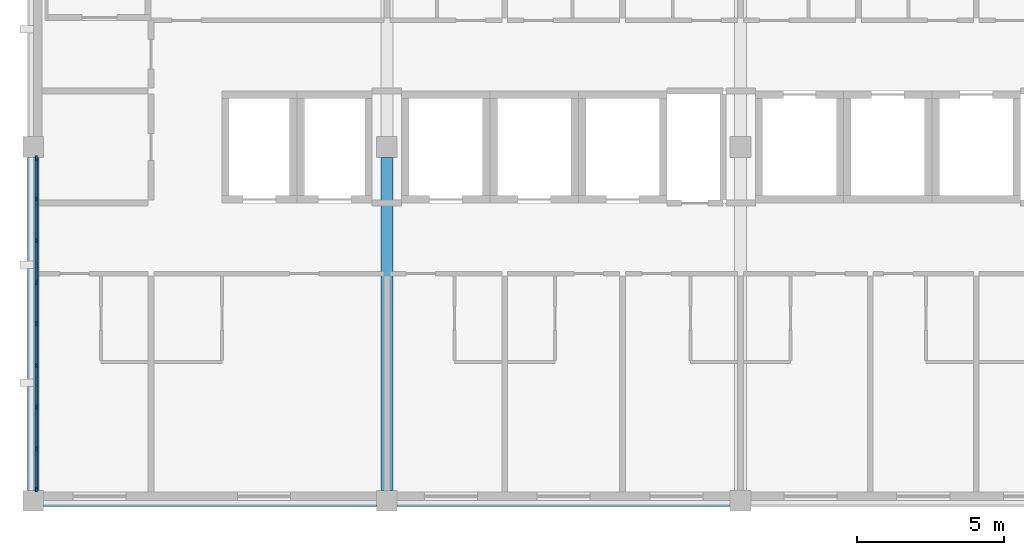
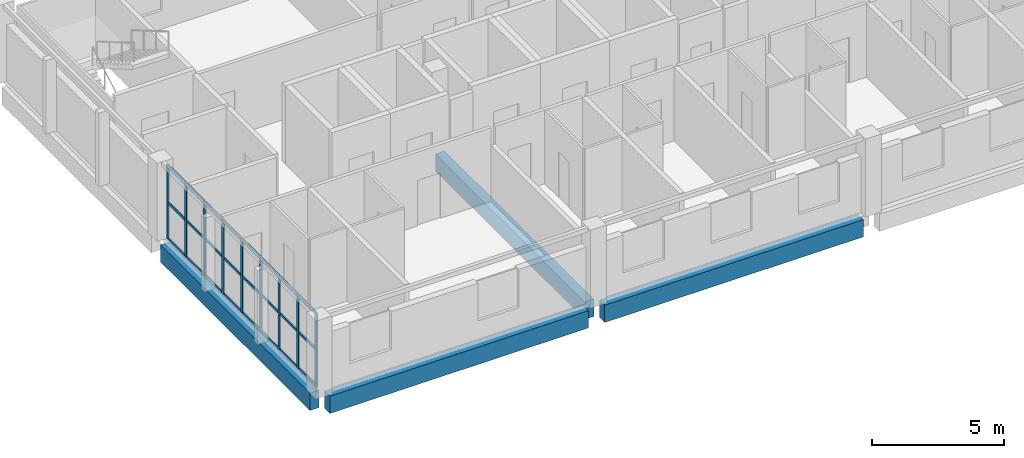
# One storey, part 2 of 11: 33 members, 4 beams, 1 element without a shape of its own.
"""IFC4 building model written with IfcOpenShell, lengths in metres."""

from ifc_helpers import new_model, si_unit, direction, frame, origin, origin_2d, place, context, subcontext, project, spatial, rectangle, extrude, material, layer, layer_set, material_profile, profile_set, type_object, element, aggregate, save


model = new_model("IFC4")

# Units and contexts
model_context = context("Model", 3, precision=1e-05, world=origin(), true_north=direction((0.0, 1.0)))
body_context = subcontext(model_context, "Body", "Model", "MODEL_VIEW")
ifc_project = project(units=[si_unit("LENGTHUNIT", "METRE"), si_unit("AREAUNIT", "SQUARE_METRE"), si_unit("VOLUMEUNIT", "CUBIC_METRE"), si_unit("PLANEANGLEUNIT", "RADIAN"), si_unit("MASSUNIT", "GRAM", prefix="KILO")], contexts=[model_context])

# Site, building, storey
site_placement = place(None, origin())
site = spatial("IfcSite", under=ifc_project, at=site_placement, CompositionType="ELEMENT")
building_placement = place(site_placement, origin())
building = spatial("IfcBuilding", under=site, at=building_placement, Name="Lilac Gate Convention Centre", CompositionType="ELEMENT")
storey_placement = place(building_placement, frame((0.0, 0.0, 57.0)))
storey = spatial("IfcBuildingStorey", under=building, at=storey_placement, Name="L14", CompositionType="ELEMENT", Elevation=57.0)

# Curtain wall, members
ifc_material_1 = material(Name="Aluminium framed double glazing", Category="aluminium")
ifc_layer = layer(ifc_material_1, 0.199951171875)
ifc_layer_set = layer_set([ifc_layer], Name="Aluminium framed double glazing")
curtain_wall_type = type_object("IfcCurtainWallType", Name="Unitised curtain wall 1500", PredefinedType="NOTDEFINED", material=ifc_layer_set)
curtain_wall_placement = place(storey_placement, origin())
curtain_wall = element("IfcCurtainWall", 1, at=curtain_wall_placement, inside=storey, type_object=curtain_wall_type, Name="Curtain wall W L14 2", PredefinedType="NOTDEFINED")
ifc_material_2 = material(Name="Aluminium alloy 6063", Category="aluminium")
ifc_material_profile_1 = material_profile(ifc_material_2, rectangle(XDim=0.06005859375, YDim=0.159912109375, at=origin_2d()), Name="Curtain wall mullion 60 x 160")
ifc_profile_set_1 = profile_set([ifc_material_profile_1], Name="Aluminium alloy 6063")
member_type_1 = type_object("IfcMemberType", Name="Curtain wall mullion 60 x 160", PredefinedType="MULLION", material=ifc_profile_set_1)
member_1_placement = place(storey_placement, frame((42.10009765625, 233.619873046875, 0.0), z_axis=(0.0, 0.0, 1.0), x_axis=(1.0, 0.0, 0.0)))
member_1 = element("IfcMember", 2, at=member_1_placement, type_object=member_type_1, Name="CW mullion 1", PredefinedType="MULLION", context=body_context, shape_type="SweptSolid", body=[
    extrude(rectangle(XDim=0.06005859375, YDim=0.159912109375, at=origin_2d()), origin(), (0.0, 0.0, 1.0), 3.39990234375),
])
member_2_placement = place(storey_placement, frame((42.10009765625, 232.237548828125, 0.0), z_axis=(0.0, 0.0, 1.0), x_axis=(1.0, 0.0, 0.0)))
member_2 = element("IfcMember", 3, at=member_2_placement, type_object=member_type_1, Name="CW mullion 2", PredefinedType="MULLION", context=body_context, shape_type="SweptSolid", body=[
    extrude(rectangle(XDim=0.06005859375, YDim=0.159912109375, at=origin_2d()), origin(), (0.0, 0.0, 1.0), 3.39990234375),
])
member_3_placement = place(storey_placement, frame((42.10009765625, 230.824951171875, 0.0), z_axis=(0.0, 0.0, 1.0), x_axis=(1.0, 0.0, 0.0)))
member_3 = element("IfcMember", 4, at=member_3_placement, type_object=member_type_1, Name="CW mullion 3", PredefinedType="MULLION", context=body_context, shape_type="SweptSolid", body=[
    extrude(rectangle(XDim=0.06005859375, YDim=0.159912109375, at=origin_2d()), origin(), (0.0, 0.0, 1.0), 3.39990234375),
])
member_4_placement = place(storey_placement, frame((42.10009765625, 229.41259765625, 0.0), z_axis=(0.0, 0.0, 1.0), x_axis=(1.0, 0.0, 0.0)))
member_4 = element("IfcMember", 5, at=member_4_placement, type_object=member_type_1, Name="CW mullion 4", PredefinedType="MULLION", context=body_context, shape_type="SweptSolid", body=[
    extrude(rectangle(XDim=0.06005859375, YDim=0.159912109375, at=origin_2d()), origin(), (0.0, 0.0, 1.0), 3.39990234375),
])
member_5_placement = place(storey_placement, frame((42.10009765625, 228.0, 0.0), z_axis=(0.0, 0.0, 1.0), x_axis=(1.0, 0.0, 0.0)))
member_5 = element("IfcMember", 6, at=member_5_placement, type_object=member_type_1, Name="CW mullion 5", PredefinedType="MULLION", context=body_context, shape_type="SweptSolid", body=[
    extrude(rectangle(XDim=0.06005859375, YDim=0.159912109375, at=origin_2d()), origin(), (0.0, 0.0, 1.0), 3.39990234375),
])
member_6_placement = place(storey_placement, frame((42.10009765625, 226.58740234375, 0.0), z_axis=(0.0, 0.0, 1.0), x_axis=(1.0, 0.0, 0.0)))
member_6 = element("IfcMember", 7, at=member_6_placement, type_object=member_type_1, Name="CW mullion 6", PredefinedType="MULLION", context=body_context, shape_type="SweptSolid", body=[
    extrude(rectangle(XDim=0.06005859375, YDim=0.159912109375, at=origin_2d()), origin(), (0.0, 0.0, 1.0), 3.39990234375),
])
member_7_placement = place(storey_placement, frame((42.10009765625, 225.175048828125, 0.0), z_axis=(0.0, 0.0, 1.0), x_axis=(1.0, 0.0, 0.0)))
member_7 = element("IfcMember", 8, at=member_7_placement, type_object=member_type_1, Name="CW mullion 7", PredefinedType="MULLION", context=body_context, shape_type="SweptSolid", body=[
    extrude(rectangle(XDim=0.06005859375, YDim=0.159912109375, at=origin_2d()), origin(), (0.0, 0.0, 1.0), 3.39990234375),
])
member_8_placement = place(storey_placement, frame((42.10009765625, 223.762451171875, 0.0), z_axis=(0.0, 0.0, 1.0), x_axis=(1.0, 0.0, 0.0)))
member_8 = element("IfcMember", 9, at=member_8_placement, type_object=member_type_1, Name="CW mullion 8", PredefinedType="MULLION", context=body_context, shape_type="SweptSolid", body=[
    extrude(rectangle(XDim=0.06005859375, YDim=0.159912109375, at=origin_2d()), origin(), (0.0, 0.0, 1.0), 3.39990234375),
])
member_9_placement = place(storey_placement, frame((42.10009765625, 222.380126953125, 0.0), z_axis=(0.0, 0.0, 1.0), x_axis=(1.0, 0.0, 0.0)))
member_9 = element("IfcMember", 10, at=member_9_placement, type_object=member_type_1, Name="CW mullion 9", PredefinedType="MULLION", context=body_context, shape_type="SweptSolid", body=[
    extrude(rectangle(XDim=0.06005859375, YDim=0.159912109375, at=origin_2d()), origin(), (0.0, 0.0, 1.0), 3.39990234375),
])
ifc_material_profile_2 = material_profile(ifc_material_2, rectangle(XDim=0.06005859375, YDim=0.1201171875, at=origin_2d()), Name="Curtain wall transom 60 x 120")
ifc_profile_set_2 = profile_set([ifc_material_profile_2], Name="Aluminium alloy 6063")
member_type_2 = type_object("IfcMemberType", Name="Curtain wall transom 60 x 120", PredefinedType="USERDEFINED", material=ifc_profile_set_2)
member_10_placement = place(storey_placement, frame((42.10009765625, 233.58984375, 0.030029296875), z_axis=(0.0, -1.0, 0.0), x_axis=(1.0, 0.0, 0.0)))
member_10 = element("IfcMember", 11, at=member_10_placement, type_object=member_type_2, Name="CW transom 1.1", ObjectType="TRANSOM", PredefinedType="USERDEFINED", context=body_context, shape_type="SweptSolid", body=[
    extrude(rectangle(XDim=0.06005859375, YDim=0.1201171875, at=origin_2d()), origin(), (0.0, 0.0, 1.0), 1.322509765625),
])
member_11_placement = place(storey_placement, frame((42.10009765625, 233.58984375, 1.699951171875), z_axis=(0.0, -1.0, 0.0), x_axis=(1.0, 0.0, 0.0)))
member_11 = element("IfcMember", 12, at=member_11_placement, type_object=member_type_2, Name="CW transom 1.2", ObjectType="TRANSOM", PredefinedType="USERDEFINED", context=body_context, shape_type="SweptSolid", body=[
    extrude(rectangle(XDim=0.06005859375, YDim=0.1201171875, at=origin_2d()), origin(), (0.0, 0.0, 1.0), 1.322509765625),
])
member_12_placement = place(storey_placement, frame((42.10009765625, 233.58984375, 3.369873046875), z_axis=(0.0, -1.0, 0.0), x_axis=(1.0, 0.0, 0.0)))
member_12 = element("IfcMember", 13, at=member_12_placement, type_object=member_type_2, Name="CW transom 1.3", ObjectType="TRANSOM", PredefinedType="USERDEFINED", context=body_context, shape_type="SweptSolid", body=[
    extrude(rectangle(XDim=0.06005859375, YDim=0.1201171875, at=origin_2d()), origin(), (0.0, 0.0, 1.0), 1.322509765625),
])
member_13_placement = place(storey_placement, frame((42.10009765625, 232.20751953125, 0.030029296875), z_axis=(0.0, -1.0, 0.0), x_axis=(1.0, 0.0, 0.0)))
member_13 = element("IfcMember", 14, at=member_13_placement, type_object=member_type_2, Name="CW transom 2.1", ObjectType="TRANSOM", PredefinedType="USERDEFINED", context=body_context, shape_type="SweptSolid", body=[
    extrude(rectangle(XDim=0.06005859375, YDim=0.1201171875, at=origin_2d()), origin(), (0.0, 0.0, 1.0), 1.3525390625),
])
member_14_placement = place(storey_placement, frame((42.10009765625, 232.20751953125, 1.699951171875), z_axis=(0.0, -1.0, 0.0), x_axis=(1.0, 0.0, 0.0)))
member_14 = element("IfcMember", 15, at=member_14_placement, type_object=member_type_2, Name="CW transom 2.2", ObjectType="TRANSOM", PredefinedType="USERDEFINED", context=body_context, shape_type="SweptSolid", body=[
    extrude(rectangle(XDim=0.06005859375, YDim=0.1201171875, at=origin_2d()), origin(), (0.0, 0.0, 1.0), 1.3525390625),
])
member_15_placement = place(storey_placement, frame((42.10009765625, 232.20751953125, 3.369873046875), z_axis=(0.0, -1.0, 0.0), x_axis=(1.0, 0.0, 0.0)))
member_15 = element("IfcMember", 16, at=member_15_placement, type_object=member_type_2, Name="CW transom 2.3", ObjectType="TRANSOM", PredefinedType="USERDEFINED", context=body_context, shape_type="SweptSolid", body=[
    extrude(rectangle(XDim=0.06005859375, YDim=0.1201171875, at=origin_2d()), origin(), (0.0, 0.0, 1.0), 1.3525390625),
])
member_16_placement = place(storey_placement, frame((42.10009765625, 230.794921875, 0.030029296875), z_axis=(0.0, -1.0, 0.0), x_axis=(1.0, 0.0, 0.0)))
member_16 = element("IfcMember", 17, at=member_16_placement, type_object=member_type_2, Name="CW transom 3.1", ObjectType="TRANSOM", PredefinedType="USERDEFINED", context=body_context, shape_type="SweptSolid", body=[
    extrude(rectangle(XDim=0.06005859375, YDim=0.1201171875, at=origin_2d()), origin(), (0.0, 0.0, 1.0), 1.3525390625),
])
member_17_placement = place(storey_placement, frame((42.10009765625, 230.794921875, 1.699951171875), z_axis=(0.0, -1.0, 0.0), x_axis=(1.0, 0.0, 0.0)))
member_17 = element("IfcMember", 18, at=member_17_placement, type_object=member_type_2, Name="CW transom 3.2", ObjectType="TRANSOM", PredefinedType="USERDEFINED", context=body_context, shape_type="SweptSolid", body=[
    extrude(rectangle(XDim=0.06005859375, YDim=0.1201171875, at=origin_2d()), origin(), (0.0, 0.0, 1.0), 1.3525390625),
])
member_18_placement = place(storey_placement, frame((42.10009765625, 230.794921875, 3.369873046875), z_axis=(0.0, -1.0, 0.0), x_axis=(1.0, 0.0, 0.0)))
member_18 = element("IfcMember", 19, at=member_18_placement, type_object=member_type_2, Name="CW transom 3.3", ObjectType="TRANSOM", PredefinedType="USERDEFINED", context=body_context, shape_type="SweptSolid", body=[
    extrude(rectangle(XDim=0.06005859375, YDim=0.1201171875, at=origin_2d()), origin(), (0.0, 0.0, 1.0), 1.3525390625),
])
member_19_placement = place(storey_placement, frame((42.10009765625, 229.382568359375, 0.030029296875), z_axis=(0.0, -1.0, 0.0), x_axis=(1.0, 0.0, 0.0)))
member_19 = element("IfcMember", 20, at=member_19_placement, type_object=member_type_2, Name="CW transom 4.1", ObjectType="TRANSOM", PredefinedType="USERDEFINED", context=body_context, shape_type="SweptSolid", body=[
    extrude(rectangle(XDim=0.06005859375, YDim=0.1201171875, at=origin_2d()), origin(), (0.0, 0.0, 1.0), 1.3525390625),
])
member_20_placement = place(storey_placement, frame((42.10009765625, 229.382568359375, 1.699951171875), z_axis=(0.0, -1.0, 0.0), x_axis=(1.0, 0.0, 0.0)))
member_20 = element("IfcMember", 21, at=member_20_placement, type_object=member_type_2, Name="CW transom 4.2", ObjectType="TRANSOM", PredefinedType="USERDEFINED", context=body_context, shape_type="SweptSolid", body=[
    extrude(rectangle(XDim=0.06005859375, YDim=0.1201171875, at=origin_2d()), origin(), (0.0, 0.0, 1.0), 1.3525390625),
])
member_21_placement = place(storey_placement, frame((42.10009765625, 229.382568359375, 3.369873046875), z_axis=(0.0, -1.0, 0.0), x_axis=(1.0, 0.0, 0.0)))
member_21 = element("IfcMember", 22, at=member_21_placement, type_object=member_type_2, Name="CW transom 4.3", ObjectType="TRANSOM", PredefinedType="USERDEFINED", context=body_context, shape_type="SweptSolid", body=[
    extrude(rectangle(XDim=0.06005859375, YDim=0.1201171875, at=origin_2d()), origin(), (0.0, 0.0, 1.0), 1.3525390625),
])
member_22_placement = place(storey_placement, frame((42.10009765625, 227.969970703125, 0.030029296875), z_axis=(0.0, -1.0, 0.0), x_axis=(1.0, 0.0, 0.0)))
member_22 = element("IfcMember", 23, at=member_22_placement, type_object=member_type_2, Name="CW transom 5.1", ObjectType="TRANSOM", PredefinedType="USERDEFINED", context=body_context, shape_type="SweptSolid", body=[
    extrude(rectangle(XDim=0.06005859375, YDim=0.1201171875, at=origin_2d()), origin(), (0.0, 0.0, 1.0), 1.3525390625),
])
member_23_placement = place(storey_placement, frame((42.10009765625, 227.969970703125, 1.699951171875), z_axis=(0.0, -1.0, 0.0), x_axis=(1.0, 0.0, 0.0)))
member_23 = element("IfcMember", 24, at=member_23_placement, type_object=member_type_2, Name="CW transom 5.2", ObjectType="TRANSOM", PredefinedType="USERDEFINED", context=body_context, shape_type="SweptSolid", body=[
    extrude(rectangle(XDim=0.06005859375, YDim=0.1201171875, at=origin_2d()), origin(), (0.0, 0.0, 1.0), 1.3525390625),
])
member_24_placement = place(storey_placement, frame((42.10009765625, 227.969970703125, 3.369873046875), z_axis=(0.0, -1.0, 0.0), x_axis=(1.0, 0.0, 0.0)))
member_24 = element("IfcMember", 25, at=member_24_placement, type_object=member_type_2, Name="CW transom 5.3", ObjectType="TRANSOM", PredefinedType="USERDEFINED", context=body_context, shape_type="SweptSolid", body=[
    extrude(rectangle(XDim=0.06005859375, YDim=0.1201171875, at=origin_2d()), origin(), (0.0, 0.0, 1.0), 1.3525390625),
])
member_25_placement = place(storey_placement, frame((42.10009765625, 226.5576171875, 0.030029296875), z_axis=(0.0, -1.0, 0.0), x_axis=(1.0, 0.0, 0.0)))
member_25 = element("IfcMember", 26, at=member_25_placement, type_object=member_type_2, Name="CW transom 6.1", ObjectType="TRANSOM", PredefinedType="USERDEFINED", context=body_context, shape_type="SweptSolid", body=[
    extrude(rectangle(XDim=0.06005859375, YDim=0.1201171875, at=origin_2d()), origin(), (0.0, 0.0, 1.0), 1.3525390625),
])
member_26_placement = place(storey_placement, frame((42.10009765625, 226.5576171875, 1.699951171875), z_axis=(0.0, -1.0, 0.0), x_axis=(1.0, 0.0, 0.0)))
member_26 = element("IfcMember", 27, at=member_26_placement, type_object=member_type_2, Name="CW transom 6.2", ObjectType="TRANSOM", PredefinedType="USERDEFINED", context=body_context, shape_type="SweptSolid", body=[
    extrude(rectangle(XDim=0.06005859375, YDim=0.1201171875, at=origin_2d()), origin(), (0.0, 0.0, 1.0), 1.3525390625),
])
member_27_placement = place(storey_placement, frame((42.10009765625, 226.5576171875, 3.369873046875), z_axis=(0.0, -1.0, 0.0), x_axis=(1.0, 0.0, 0.0)))
member_27 = element("IfcMember", 28, at=member_27_placement, type_object=member_type_2, Name="CW transom 6.3", ObjectType="TRANSOM", PredefinedType="USERDEFINED", context=body_context, shape_type="SweptSolid", body=[
    extrude(rectangle(XDim=0.06005859375, YDim=0.1201171875, at=origin_2d()), origin(), (0.0, 0.0, 1.0), 1.3525390625),
])
member_28_placement = place(storey_placement, frame((42.10009765625, 225.14501953125, 0.030029296875), z_axis=(0.0, -1.0, 0.0), x_axis=(1.0, 0.0, 0.0)))
member_28 = element("IfcMember", 29, at=member_28_placement, type_object=member_type_2, Name="CW transom 7.1", ObjectType="TRANSOM", PredefinedType="USERDEFINED", context=body_context, shape_type="SweptSolid", body=[
    extrude(rectangle(XDim=0.06005859375, YDim=0.1201171875, at=origin_2d()), origin(), (0.0, 0.0, 1.0), 1.3525390625),
])
member_29_placement = place(storey_placement, frame((42.10009765625, 225.14501953125, 1.699951171875), z_axis=(0.0, -1.0, 0.0), x_axis=(1.0, 0.0, 0.0)))
member_29 = element("IfcMember", 30, at=member_29_placement, type_object=member_type_2, Name="CW transom 7.2", ObjectType="TRANSOM", PredefinedType="USERDEFINED", context=body_context, shape_type="SweptSolid", body=[
    extrude(rectangle(XDim=0.06005859375, YDim=0.1201171875, at=origin_2d()), origin(), (0.0, 0.0, 1.0), 1.3525390625),
])
member_30_placement = place(storey_placement, frame((42.10009765625, 225.14501953125, 3.369873046875), z_axis=(0.0, -1.0, 0.0), x_axis=(1.0, 0.0, 0.0)))
member_30 = element("IfcMember", 31, at=member_30_placement, type_object=member_type_2, Name="CW transom 7.3", ObjectType="TRANSOM", PredefinedType="USERDEFINED", context=body_context, shape_type="SweptSolid", body=[
    extrude(rectangle(XDim=0.06005859375, YDim=0.1201171875, at=origin_2d()), origin(), (0.0, 0.0, 1.0), 1.3525390625),
])
member_31_placement = place(storey_placement, frame((42.10009765625, 223.732666015625, 0.030029296875), z_axis=(0.0, -1.0, 0.0), x_axis=(1.0, 0.0, 0.0)))
member_31 = element("IfcMember", 32, at=member_31_placement, type_object=member_type_2, Name="CW transom 8.1", ObjectType="TRANSOM", PredefinedType="USERDEFINED", context=body_context, shape_type="SweptSolid", body=[
    extrude(rectangle(XDim=0.06005859375, YDim=0.1201171875, at=origin_2d()), origin(), (0.0, 0.0, 1.0), 1.322509765625),
])
member_32_placement = place(storey_placement, frame((42.10009765625, 223.732666015625, 1.699951171875), z_axis=(0.0, -1.0, 0.0), x_axis=(1.0, 0.0, 0.0)))
member_32 = element("IfcMember", 33, at=member_32_placement, type_object=member_type_2, Name="CW transom 8.2", ObjectType="TRANSOM", PredefinedType="USERDEFINED", context=body_context, shape_type="SweptSolid", body=[
    extrude(rectangle(XDim=0.06005859375, YDim=0.1201171875, at=origin_2d()), origin(), (0.0, 0.0, 1.0), 1.322509765625),
])
member_33_placement = place(storey_placement, frame((42.10009765625, 223.732666015625, 3.369873046875), z_axis=(0.0, -1.0, 0.0), x_axis=(1.0, 0.0, 0.0)))
member_33 = element("IfcMember", 34, at=member_33_placement, type_object=member_type_2, Name="CW transom 8.3", ObjectType="TRANSOM", PredefinedType="USERDEFINED", context=body_context, shape_type="SweptSolid", body=[
    extrude(rectangle(XDim=0.06005859375, YDim=0.1201171875, at=origin_2d()), origin(), (0.0, 0.0, 1.0), 1.322509765625),
])
aggregate(curtain_wall, [member_1, member_2, member_3, member_4, member_5, member_6, member_7, member_8, member_9, member_10, member_11, member_12, member_13, member_14, member_15, member_16, member_17, member_18, member_19, member_20, member_21, member_22, member_23, member_24, member_25, member_26, member_27, member_28, member_29, member_30, member_31, member_32, member_33])

# Beams
ifc_material_3 = material(Name="Concrete C40", Category="concrete")
ifc_material_profile_3 = material_profile(ifc_material_3, rectangle(XDim=0.39990234375, YDim=0.800048828125, at=origin_2d()), Name="RC 400x800")
ifc_profile_set_3 = profile_set([ifc_material_profile_3], Name="Concrete C40")
beam_type = type_object("IfcBeamType", Name="Tower primary beam 400x800 C40", PredefinedType="BEAM", material=ifc_profile_set_3)
for number, where, z_axis, x_axis, name in (
    (35, (42.35009765625, 222.0, -0.60009765625), (1.0, 0.0, 0.0), (0.0, 1.0, 0.0), "RB3 L14 4/S-5/S"),
    (36, (54.35009765625, 222.0, -0.60009765625), (1.0, 0.0, 0.0), (0.0, 1.0, 0.0), "RB3 L14 5/S-6/S"),
    (37, (42.0, 222.35009765625, -0.60009765625), (0.0, 1.0, 0.0), (-1.0, 0.0, 0.0), "RB3 L14 4/S-4/T"),
    (38, (54.0, 222.35009765625, -0.60009765625), (0.0, 1.0, 0.0), (-1.0, 0.0, 0.0), "RB3 L14 5/S-5/T"),
):
    element("IfcBeam", number, at=place(storey_placement, frame(where, z_axis=z_axis, x_axis=x_axis)), inside=storey, type_object=beam_type, Name=name, PredefinedType="BEAM", context=body_context, shape_type="SweptSolid", body=[
        extrude(rectangle(XDim=0.39990234375, YDim=0.800048828125, at=origin_2d()), origin(), (0.0, 0.0, 1.0), 11.2998046875),
    ])

save(model, "model.ifc")
